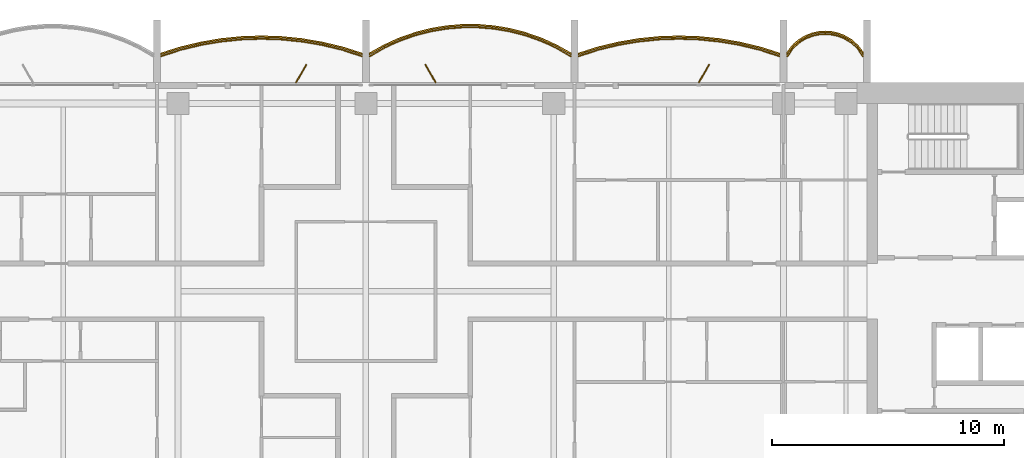
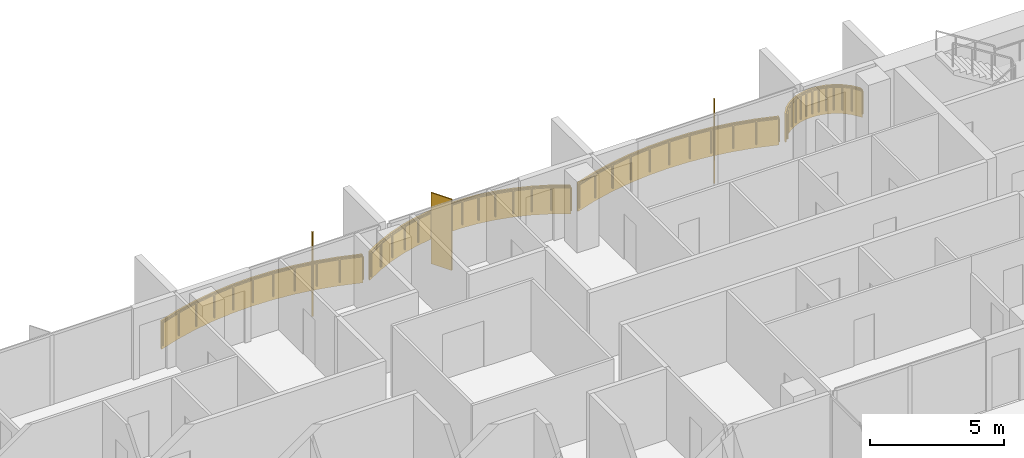
# One storey, part 17 of 17: 4 coverings, 4 railings, 3 shading devices.
"""IFC4 building model written with IfcOpenShell, lengths in metres."""

from ifc_helpers import new_model, si_unit, direction, frame, origin, origin_2d, place, context, subcontext, project, spatial, polyline, rectangle, outline, extrude, material, layer, layer_set, type_object, element, save


model = new_model("IFC4")

# Units and contexts
model_context = context("Model", 3, precision=1e-05, world=origin(), true_north=direction((0.0, 1.0)))
body_context = subcontext(model_context, "Body", "Model", "MODEL_VIEW")
ifc_project = project(units=[si_unit("LENGTHUNIT", "METRE"), si_unit("AREAUNIT", "SQUARE_METRE"), si_unit("VOLUMEUNIT", "CUBIC_METRE"), si_unit("PLANEANGLEUNIT", "RADIAN"), si_unit("MASSUNIT", "GRAM", prefix="KILO")], contexts=[model_context])

# Site, building, storey
site_placement = place(None, origin())
site = spatial("IfcSite", under=ifc_project, at=site_placement, CompositionType="ELEMENT")
building_placement = place(site_placement, origin())
building = spatial("IfcBuilding", under=site, at=building_placement, Name="Perihelion Cross Residences", CompositionType="ELEMENT")
storey_placement = place(building_placement, frame((0.0, 0.0, 201.60009765625)))
storey = spatial("IfcBuildingStorey", under=building, at=storey_placement, Name="L50", CompositionType="ELEMENT", Elevation=201.60009765625)

# Coverings
ifc_material_1 = material(Name="Bronze anodised aluminium", Category="aluminium")
ifc_layer_1 = layer(ifc_material_1, 0.070068359375)
ifc_layer_set_1 = layer_set([ifc_layer_1], Name="Balcony fascia 1300")
covering_type = type_object("IfcCoveringType", Name="Balcony fascia 1300", PredefinedType="CLADDING", material=ifc_layer_set_1)
covering_1_placement = place(storey_placement, frame((0.0, 0.0, -0.2001953125)))
element("IfcCovering", 1, at=covering_1_placement, inside=storey, type_object=covering_type, Name="Fascia BF1 L50 east side north bay 1", PredefinedType="CLADDING", context=body_context, shape_type="SweptSolid", body=[
    extrude(outline(polyline([(21.226318359375, 10.616455078125), (20.94091796875, 10.86328125), (20.655517578125, 11.031494140625), (20.370361328125, 11.142578125), (20.085205078125, 11.206298828125), (19.800048828125, 11.22705078125), (19.514892578125, 11.206298828125), (19.229736328125, 11.142578125), (18.9443359375, 11.031494140625), (18.6591796875, 10.86328125), (18.373779296875, 10.616455078125), (18.14990234375, 10.31689453125), (18.14990234375, 10.199951171875), (18.425048828125, 10.568603515625), (18.699951171875, 10.806396484375), (18.97509765625, 10.96875), (19.25, 11.07568359375), (19.52490234375, 11.136962890625), (19.800048828125, 11.156982421875), (20.074951171875, 11.136962890625), (20.35009765625, 11.07568359375), (20.625, 10.96875), (20.89990234375, 10.806396484375), (21.175048828125, 10.568603515625), (21.449951171875, 10.199951171875), (21.449951171875, 10.31689453125), (21.226318359375, 10.616455078125)])), origin(), (0.0, 0.0, 1.0), 1.300048828125),
])
covering_2_placement = place(storey_placement, frame((0.0, 0.0, -0.2001953125)))
element("IfcCovering", 2, at=covering_2_placement, inside=storey, type_object=covering_type, Name="Fascia BF1 L50 east side north bay 2", PredefinedType="CLADDING", context=body_context, shape_type="SweptSolid", body=[
    extrude(outline(polyline([(16.998779296875, 10.542724609375), (16.1240234375, 10.753662109375), (15.249267578125, 10.90234375), (14.374755859375, 10.99072265625), (13.5, 11.02001953125), (12.625244140625, 10.99072265625), (11.750732421875, 10.90234375), (10.8759765625, 10.753662109375), (10.001220703125, 10.542724609375), (9.14990234375, 10.2734375), (9.14990234375, 10.199951171875), (10.02001953125, 10.47509765625), (10.889892578125, 10.68505859375), (11.760009765625, 10.8330078125), (12.6298828125, 10.9208984375), (13.5, 10.949951171875), (14.3701171875, 10.9208984375), (15.239990234375, 10.8330078125), (16.110107421875, 10.68505859375), (16.97998046875, 10.47509765625), (17.85009765625, 10.199951171875), (17.85009765625, 10.2734375), (16.998779296875, 10.542724609375)])), origin(), (0.0, 0.0, 1.0), 1.300048828125),
])
covering_3_placement = place(storey_placement, frame((0.0, 0.0, -0.2001953125)))
element("IfcCovering", 3, at=covering_3_placement, inside=storey, type_object=covering_type, Name="Fascia BF1 L50 north side east bay 1", PredefinedType="CLADDING", context=body_context, shape_type="SweptSolid", body=[
    extrude(outline(polyline([(8.212158203125, 10.63916015625), (7.537353515625, 10.941650390625), (6.8623046875, 11.175048828125), (6.1875, 11.345947265625), (5.512451171875, 11.457763671875), (4.83740234375, 11.51318359375), (4.16259765625, 11.51318359375), (3.487548828125, 11.457763671875), (2.8125, 11.345947265625), (2.1376953125, 11.175048828125), (1.462646484375, 10.941650390625), (0.787841796875, 10.63916015625), (0.14990234375, 10.2802734375), (0.14990234375, 10.199951171875), (0.8193359375, 10.57666015625), (1.488525390625, 10.87646484375), (2.15771484375, 11.108154296875), (2.826904296875, 11.27734375), (3.49609375, 11.38818359375), (4.165283203125, 11.443115234375), (4.834716796875, 11.443115234375), (5.50390625, 11.38818359375), (6.173095703125, 11.27734375), (6.84228515625, 11.108154296875), (7.511474609375, 10.87646484375), (8.1806640625, 10.57666015625), (8.85009765625, 10.199951171875), (8.85009765625, 10.2802734375), (8.212158203125, 10.63916015625)])), origin(), (0.0, 0.0, 1.0), 1.300048828125),
])
covering_4_placement = place(storey_placement, frame((0.0, 0.0, -0.2001953125)))
element("IfcCovering", 4, at=covering_4_placement, inside=storey, type_object=covering_type, Name="Fascia BF1 L50 north side east bay 2", PredefinedType="CLADDING", context=body_context, shape_type="SweptSolid", body=[
    extrude(outline(polyline([(-1.001220703125, 10.542724609375), (-1.8759765625, 10.753662109375), (-2.750732421875, 10.90234375), (-3.625244140625, 10.99072265625), (-4.5, 11.02001953125), (-5.374755859375, 10.99072265625), (-6.249267578125, 10.90234375), (-7.1240234375, 10.753662109375), (-7.998779296875, 10.542724609375), (-8.85009765625, 10.2734375), (-8.85009765625, 10.199951171875), (-7.97998046875, 10.47509765625), (-7.110107421875, 10.68505859375), (-6.239990234375, 10.8330078125), (-5.3701171875, 10.9208984375), (-4.5, 10.949951171875), (-3.6298828125, 10.9208984375), (-2.760009765625, 10.8330078125), (-1.889892578125, 10.68505859375), (-1.02001953125, 10.47509765625), (-0.14990234375, 10.199951171875), (-0.14990234375, 10.2734375), (-1.001220703125, 10.542724609375)])), origin(), (0.0, 0.0, 1.0), 1.300048828125),
])

# Railings
ifc_material_2 = material(Name="Bronze anodised aluminium", Category="aluminium")
railing_type = type_object("IfcRailingType", Name="Balcony guard 1100", PredefinedType="GUARDRAIL", material=ifc_material_2)
railing_1_placement = place(storey_placement, frame((21.425048828125, 10.139892578125, 0.0)))
element("IfcRailing", 5, at=railing_1_placement, inside=storey, type_object=railing_type, Name="Guard GU1 L50 east side north bay 1 balcony", PredefinedType="GUARDRAIL", context=body_context, shape_type="SweptSolid", body=[
    extrude(rectangle(XDim=0.048095703125, YDim=0.048095703125, at=origin_2d()), frame((0.0, 0.0, 1.076171875), z_axis=(-0.561260132269, 0.827639452857, 0.0), x_axis=(-0.827639452857, -0.561260132269, 0.0)), (0.0, 0.0, 1.0), 0.4453125),
    extrude(rectangle(XDim=0.048095703125, YDim=0.048095703125, at=origin_2d()), frame((-0.25, 0.36865234375, 1.076171875), z_axis=(-0.756596535164, 0.653882009982, 0.0), x_axis=(-0.653882009982, -0.756596535164, 0.0)), (0.0, 0.0, 1.0), 0.36376953125),
    extrude(rectangle(XDim=0.048095703125, YDim=0.048095703125, at=origin_2d()), frame((-0.525146484375, 0.6064453125, 1.076171875), z_axis=(-0.861048292884, 0.508523192511, 0.0), x_axis=(-0.508523192511, -0.861048292884, 0.0)), (0.0, 0.0, 1.0), 0.3193359375),
    extrude(rectangle(XDim=0.048095703125, YDim=0.048095703125, at=origin_2d()), frame((-0.800048828125, 0.768798828125, 1.076171875), z_axis=(-0.931973602183, 0.362526143656, 0.0), x_axis=(-0.362526143656, -0.931973602183, 0.0)), (0.0, 0.0, 1.0), 0.294921875),
    extrude(rectangle(XDim=0.048095703125, YDim=0.048095703125, at=origin_2d()), frame((-1.074951171875, 0.875732421875, 1.076171875), z_axis=(-0.976085059389, 0.21738895289, 0.0), x_axis=(-0.21738895289, -0.976085059389, 0.0)), (0.0, 0.0, 1.0), 0.281982421875),
    extrude(rectangle(XDim=0.048095703125, YDim=0.048095703125, at=origin_2d()), frame((-1.35009765625, 0.93701171875, 1.076171875), z_axis=(-0.997358821833, 0.072631814734, 0.0), x_axis=(-0.072631814734, -0.997358821833, 0.0)), (0.0, 0.0, 1.0), 0.275634765625),
    extrude(rectangle(XDim=0.048095703125, YDim=0.048095703125, at=origin_2d()), frame((-1.625, 0.95703125, 1.076171875), z_axis=(-0.997363488337, -0.072567707226, 0.0), x_axis=(0.072567707226, -0.997363488337, 0.0)), (0.0, 0.0, 1.0), 0.27587890625),
    extrude(rectangle(XDim=0.048095703125, YDim=0.048095703125, at=origin_2d()), frame((-1.900146484375, 0.93701171875, 1.076171875), z_axis=(-0.976044077717, -0.217572880557, 0.0), x_axis=(0.217572880557, -0.976044077717, 0.0)), (0.0, 0.0, 1.0), 0.28173828125),
    extrude(rectangle(XDim=0.048095703125, YDim=0.048095703125, at=origin_2d()), frame((-2.175048828125, 0.875732421875, 1.076171875), z_axis=(-0.931973602183, -0.362526143656, 0.0), x_axis=(0.362526143656, -0.931973602183, 0.0)), (0.0, 0.0, 1.0), 0.294921875),
    extrude(rectangle(XDim=0.048095703125, YDim=0.048095703125, at=origin_2d()), frame((-2.449951171875, 0.768798828125, 1.076171875), z_axis=(-0.861245845072, -0.508188542123, 0.0), x_axis=(0.508188542123, -0.861245845072, 0.0)), (0.0, 0.0, 1.0), 0.319580078125),
    extrude(rectangle(XDim=0.048095703125, YDim=0.048095703125, at=origin_2d()), frame((-2.72509765625, 0.6064453125, 1.076171875), z_axis=(-0.756309278473, -0.654214242658, 0.0), x_axis=(0.654214242658, -0.756309278473, 0.0)), (0.0, 0.0, 1.0), 0.363525390625),
    extrude(rectangle(XDim=0.048095703125, YDim=0.048095703125, at=origin_2d()), frame((-3.0, 0.36865234375, 1.076171875), z_axis=(-0.561260132269, -0.827639452857, 0.0), x_axis=(0.827639452857, -0.561260132269, 0.0)), (0.0, 0.0, 1.0), 0.4453125),
    extrude(rectangle(XDim=0.0419921875, YDim=0.0419921875, at=origin_2d()), origin(), (0.0, 0.0, 1.0), 1.052001953125),
    extrude(rectangle(XDim=0.0419921875, YDim=0.0419921875, at=origin_2d()), frame((-0.25, 0.36865234375, 0.0)), (0.0, 0.0, 1.0), 1.052001953125),
    extrude(rectangle(XDim=0.0419921875, YDim=0.0419921875, at=origin_2d()), frame((-0.525146484375, 0.6064453125, 0.0)), (0.0, 0.0, 1.0), 1.052001953125),
    extrude(rectangle(XDim=0.0419921875, YDim=0.0419921875, at=origin_2d()), frame((-0.800048828125, 0.768798828125, 0.0)), (0.0, 0.0, 1.0), 1.052001953125),
    extrude(rectangle(XDim=0.0419921875, YDim=0.0419921875, at=origin_2d()), frame((-1.074951171875, 0.875732421875, 0.0)), (0.0, 0.0, 1.0), 1.052001953125),
    extrude(rectangle(XDim=0.0419921875, YDim=0.0419921875, at=origin_2d()), frame((-1.35009765625, 0.93701171875, 0.0)), (0.0, 0.0, 1.0), 1.052001953125),
    extrude(rectangle(XDim=0.0419921875, YDim=0.0419921875, at=origin_2d()), frame((-1.625, 0.95703125, 0.0)), (0.0, 0.0, 1.0), 1.052001953125),
    extrude(rectangle(XDim=0.0419921875, YDim=0.0419921875, at=origin_2d()), frame((-1.900146484375, 0.93701171875, 0.0)), (0.0, 0.0, 1.0), 1.052001953125),
    extrude(rectangle(XDim=0.0419921875, YDim=0.0419921875, at=origin_2d()), frame((-2.175048828125, 0.875732421875, 0.0)), (0.0, 0.0, 1.0), 1.052001953125),
    extrude(rectangle(XDim=0.0419921875, YDim=0.0419921875, at=origin_2d()), frame((-2.449951171875, 0.768798828125, 0.0)), (0.0, 0.0, 1.0), 1.052001953125),
    extrude(rectangle(XDim=0.0419921875, YDim=0.0419921875, at=origin_2d()), frame((-2.72509765625, 0.6064453125, 0.0)), (0.0, 0.0, 1.0), 1.052001953125),
    extrude(rectangle(XDim=0.0419921875, YDim=0.0419921875, at=origin_2d()), frame((-3.0, 0.36865234375, 0.0)), (0.0, 0.0, 1.0), 1.052001953125),
    extrude(rectangle(XDim=0.0419921875, YDim=0.0419921875, at=origin_2d()), frame((-3.25, 0.0, 0.0)), (0.0, 0.0, 1.0), 1.052001953125),
])
railing_2_placement = place(storey_placement, frame((17.824951171875, 10.139892578125, 0.0)))
element("IfcRailing", 6, at=railing_2_placement, inside=storey, type_object=railing_type, Name="Guard GU1 L50 east side north bay 2 balcony", PredefinedType="GUARDRAIL", context=body_context, shape_type="SweptSolid", body=[
    extrude(rectangle(XDim=0.048095703125, YDim=0.048095703125, at=origin_2d()), frame((0.0, 0.0, 1.076171875), z_axis=(-0.950777354264, 0.30987484993, 0.0), x_axis=(-0.30987484993, -0.950777354264, 0.0)), (0.0, 0.0, 1.0), 0.888671875),
    extrude(rectangle(XDim=0.048095703125, YDim=0.048095703125, at=origin_2d()), frame((-0.844970703125, 0.275390625, 1.076171875), z_axis=(-0.972146551129, 0.234373810671, 0.0), x_axis=(-0.234373810671, -0.972146551129, 0.0)), (0.0, 0.0, 1.0), 0.894775390625),
    extrude(rectangle(XDim=0.048095703125, YDim=0.048095703125, at=origin_2d()), frame((-1.71484375, 0.485107421875, 1.076171875), z_axis=(-0.985850361727, 0.167627755108, 0.0), x_axis=(-0.167627755108, -0.985850361727, 0.0)), (0.0, 0.0, 1.0), 0.882568359375),
    extrude(rectangle(XDim=0.048095703125, YDim=0.048095703125, at=origin_2d()), frame((-2.5849609375, 0.633056640625, 1.076171875), z_axis=(-0.994934368303, 0.100526627165, 0.0), x_axis=(-0.100526627165, -0.994934368303, 0.0)), (0.0, 0.0, 1.0), 0.874267578125),
    extrude(rectangle(XDim=0.048095703125, YDim=0.048095703125, at=origin_2d()), frame((-3.454833984375, 0.720947265625, 1.076171875), z_axis=(-0.999443037968, 0.0333708534, 0.0), x_axis=(-0.0333708534, -0.999443037968, 0.0)), (0.0, 0.0, 1.0), 0.87060546875),
    extrude(rectangle(XDim=0.048095703125, YDim=0.048095703125, at=origin_2d()), frame((-4.324951171875, 0.75, 1.076171875), z_axis=(-0.999443037968, -0.0333708534, 0.0), x_axis=(0.0333708534, -0.999443037968, 0.0)), (0.0, 0.0, 1.0), 0.87060546875),
    extrude(rectangle(XDim=0.048095703125, YDim=0.048095703125, at=origin_2d()), frame((-5.195068359375, 0.720947265625, 1.076171875), z_axis=(-0.994934368303, -0.100526627165, 0.0), x_axis=(0.100526627165, -0.994934368303, 0.0)), (0.0, 0.0, 1.0), 0.874267578125),
    extrude(rectangle(XDim=0.048095703125, YDim=0.048095703125, at=origin_2d()), frame((-6.06494140625, 0.633056640625, 1.076171875), z_axis=(-0.985850361727, -0.167627755108, 0.0), x_axis=(0.167627755108, -0.985850361727, 0.0)), (0.0, 0.0, 1.0), 0.882568359375),
    extrude(rectangle(XDim=0.048095703125, YDim=0.048095703125, at=origin_2d()), frame((-6.93505859375, 0.485107421875, 1.076171875), z_axis=(-0.972146551129, -0.234373810671, 0.0), x_axis=(0.234373810671, -0.972146551129, 0.0)), (0.0, 0.0, 1.0), 0.894775390625),
    extrude(rectangle(XDim=0.048095703125, YDim=0.048095703125, at=origin_2d()), frame((-7.804931640625, 0.275390625, 1.076171875), z_axis=(-0.950777354264, -0.30987484993, 0.0), x_axis=(0.30987484993, -0.950777354264, 0.0)), (0.0, 0.0, 1.0), 0.888671875),
    extrude(rectangle(XDim=0.0419921875, YDim=0.0419921875, at=origin_2d()), origin(), (0.0, 0.0, 1.0), 1.052001953125),
    extrude(rectangle(XDim=0.0419921875, YDim=0.0419921875, at=origin_2d()), frame((-0.844970703125, 0.275390625, 0.0)), (0.0, 0.0, 1.0), 1.052001953125),
    extrude(rectangle(XDim=0.0419921875, YDim=0.0419921875, at=origin_2d()), frame((-1.71484375, 0.485107421875, 0.0)), (0.0, 0.0, 1.0), 1.052001953125),
    extrude(rectangle(XDim=0.0419921875, YDim=0.0419921875, at=origin_2d()), frame((-2.5849609375, 0.633056640625, 0.0)), (0.0, 0.0, 1.0), 1.052001953125),
    extrude(rectangle(XDim=0.0419921875, YDim=0.0419921875, at=origin_2d()), frame((-3.454833984375, 0.720947265625, 0.0)), (0.0, 0.0, 1.0), 1.052001953125),
    extrude(rectangle(XDim=0.0419921875, YDim=0.0419921875, at=origin_2d()), frame((-4.324951171875, 0.75, 0.0)), (0.0, 0.0, 1.0), 1.052001953125),
    extrude(rectangle(XDim=0.0419921875, YDim=0.0419921875, at=origin_2d()), frame((-5.195068359375, 0.720947265625, 0.0)), (0.0, 0.0, 1.0), 1.052001953125),
    extrude(rectangle(XDim=0.0419921875, YDim=0.0419921875, at=origin_2d()), frame((-6.06494140625, 0.633056640625, 0.0)), (0.0, 0.0, 1.0), 1.052001953125),
    extrude(rectangle(XDim=0.0419921875, YDim=0.0419921875, at=origin_2d()), frame((-6.93505859375, 0.485107421875, 0.0)), (0.0, 0.0, 1.0), 1.052001953125),
    extrude(rectangle(XDim=0.0419921875, YDim=0.0419921875, at=origin_2d()), frame((-7.804931640625, 0.275390625, 0.0)), (0.0, 0.0, 1.0), 1.052001953125),
    extrude(rectangle(XDim=0.0419921875, YDim=0.0419921875, at=origin_2d()), frame((-8.64990234375, 0.0, 0.0)), (0.0, 0.0, 1.0), 1.052001953125),
])
railing_3_placement = place(storey_placement, frame((8.824951171875, 10.139892578125, 0.0)))
element("IfcRailing", 7, at=railing_3_placement, inside=storey, type_object=railing_type, Name="Guard GU1 L50 north side east bay 1 balcony", PredefinedType="GUARDRAIL", context=body_context, shape_type="SweptSolid", body=[
    extrude(rectangle(XDim=0.048095703125, YDim=0.048095703125, at=origin_2d()), frame((0.0, 0.0, 1.076171875), z_axis=(-0.863125740505, 0.504989065305, 0.0), x_axis=(-0.504989065305, -0.863125740505, 0.0)), (0.0, 0.0, 1.0), 0.746337890625),
    extrude(rectangle(XDim=0.048095703125, YDim=0.048095703125, at=origin_2d()), frame((-0.644287109375, 0.376953125, 1.076171875), z_axis=(-0.912723499295, 0.408577794103, 0.0), x_axis=(-0.408577794103, -0.912723499295, 0.0)), (0.0, 0.0, 1.0), 0.733154296875),
    extrude(rectangle(XDim=0.048095703125, YDim=0.048095703125, at=origin_2d()), frame((-1.3134765625, 0.676513671875, 1.076171875), z_axis=(-0.944965577734, 0.327169767701, 0.0), x_axis=(-0.327169767701, -0.944965577734, 0.0)), (0.0, 0.0, 1.0), 0.708251953125),
    extrude(rectangle(XDim=0.048095703125, YDim=0.048095703125, at=origin_2d()), frame((-1.982666015625, 0.908203125, 1.076171875), z_axis=(-0.96949408574, 0.245114703181, 0.0), x_axis=(-0.245114703181, -0.96949408574, 0.0)), (0.0, 0.0, 1.0), 0.690185546875),
    extrude(rectangle(XDim=0.048095703125, YDim=0.048095703125, at=origin_2d()), frame((-2.65185546875, 1.077392578125, 1.076171875), z_axis=(-0.986500713816, 0.163756959061, 0.0), x_axis=(-0.163756959061, -0.986500713816, 0.0)), (0.0, 0.0, 1.0), 0.678466796875),
    extrude(rectangle(XDim=0.048095703125, YDim=0.048095703125, at=origin_2d()), frame((-3.321044921875, 1.1884765625, 1.076171875), z_axis=(-0.996677390684, 0.081450468994, 0.0), x_axis=(-0.081450468994, -0.996677390684, 0.0)), (0.0, 0.0, 1.0), 0.67138671875),
    extrude(rectangle(XDim=0.048095703125, YDim=0.048095703125, at=origin_2d()), frame((-3.990234375, 1.2431640625, 1.076171875), z_axis=(-1.0, 0.0, 0.0), x_axis=(0.0, -1.0, 0.0)), (0.0, 0.0, 1.0), 0.66943359375),
    extrude(rectangle(XDim=0.048095703125, YDim=0.048095703125, at=origin_2d()), frame((-4.65966796875, 1.2431640625, 1.076171875), z_axis=(-0.996677390684, -0.081450468994, 0.0), x_axis=(0.081450468994, -0.996677390684, 0.0)), (0.0, 0.0, 1.0), 0.67138671875),
    extrude(rectangle(XDim=0.048095703125, YDim=0.048095703125, at=origin_2d()), frame((-5.328857421875, 1.1884765625, 1.076171875), z_axis=(-0.986500713816, -0.163756959061, 0.0), x_axis=(0.163756959061, -0.986500713816, 0.0)), (0.0, 0.0, 1.0), 0.678466796875),
    extrude(rectangle(XDim=0.048095703125, YDim=0.048095703125, at=origin_2d()), frame((-5.998046875, 1.077392578125, 1.076171875), z_axis=(-0.96949408574, -0.245114703181, 0.0), x_axis=(0.245114703181, -0.96949408574, 0.0)), (0.0, 0.0, 1.0), 0.690185546875),
    extrude(rectangle(XDim=0.048095703125, YDim=0.048095703125, at=origin_2d()), frame((-6.667236328125, 0.908203125, 1.076171875), z_axis=(-0.944965577734, -0.327169767701, 0.0), x_axis=(0.327169767701, -0.944965577734, 0.0)), (0.0, 0.0, 1.0), 0.708251953125),
    extrude(rectangle(XDim=0.048095703125, YDim=0.048095703125, at=origin_2d()), frame((-7.33642578125, 0.676513671875, 1.076171875), z_axis=(-0.912723499295, -0.408577794103, 0.0), x_axis=(0.408577794103, -0.912723499295, 0.0)), (0.0, 0.0, 1.0), 0.733154296875),
    extrude(rectangle(XDim=0.048095703125, YDim=0.048095703125, at=origin_2d()), frame((-8.005615234375, 0.376953125, 1.076171875), z_axis=(-0.863125740505, -0.504989065305, 0.0), x_axis=(0.504989065305, -0.863125740505, 0.0)), (0.0, 0.0, 1.0), 0.746337890625),
    extrude(rectangle(XDim=0.0419921875, YDim=0.0419921875, at=origin_2d()), origin(), (0.0, 0.0, 1.0), 1.052001953125),
    extrude(rectangle(XDim=0.0419921875, YDim=0.0419921875, at=origin_2d()), frame((-0.644287109375, 0.376953125, 0.0)), (0.0, 0.0, 1.0), 1.052001953125),
    extrude(rectangle(XDim=0.0419921875, YDim=0.0419921875, at=origin_2d()), frame((-1.3134765625, 0.676513671875, 0.0)), (0.0, 0.0, 1.0), 1.052001953125),
    extrude(rectangle(XDim=0.0419921875, YDim=0.0419921875, at=origin_2d()), frame((-1.982666015625, 0.908203125, 0.0)), (0.0, 0.0, 1.0), 1.052001953125),
    extrude(rectangle(XDim=0.0419921875, YDim=0.0419921875, at=origin_2d()), frame((-2.65185546875, 1.077392578125, 0.0)), (0.0, 0.0, 1.0), 1.052001953125),
    extrude(rectangle(XDim=0.0419921875, YDim=0.0419921875, at=origin_2d()), frame((-3.321044921875, 1.1884765625, 0.0)), (0.0, 0.0, 1.0), 1.052001953125),
    extrude(rectangle(XDim=0.0419921875, YDim=0.0419921875, at=origin_2d()), frame((-3.990234375, 1.2431640625, 0.0)), (0.0, 0.0, 1.0), 1.052001953125),
    extrude(rectangle(XDim=0.0419921875, YDim=0.0419921875, at=origin_2d()), frame((-4.65966796875, 1.2431640625, 0.0)), (0.0, 0.0, 1.0), 1.052001953125),
    extrude(rectangle(XDim=0.0419921875, YDim=0.0419921875, at=origin_2d()), frame((-5.328857421875, 1.1884765625, 0.0)), (0.0, 0.0, 1.0), 1.052001953125),
    extrude(rectangle(XDim=0.0419921875, YDim=0.0419921875, at=origin_2d()), frame((-5.998046875, 1.077392578125, 0.0)), (0.0, 0.0, 1.0), 1.052001953125),
    extrude(rectangle(XDim=0.0419921875, YDim=0.0419921875, at=origin_2d()), frame((-6.667236328125, 0.908203125, 0.0)), (0.0, 0.0, 1.0), 1.052001953125),
    extrude(rectangle(XDim=0.0419921875, YDim=0.0419921875, at=origin_2d()), frame((-7.33642578125, 0.676513671875, 0.0)), (0.0, 0.0, 1.0), 1.052001953125),
    extrude(rectangle(XDim=0.0419921875, YDim=0.0419921875, at=origin_2d()), frame((-8.005615234375, 0.376953125, 0.0)), (0.0, 0.0, 1.0), 1.052001953125),
    extrude(rectangle(XDim=0.0419921875, YDim=0.0419921875, at=origin_2d()), frame((-8.64990234375, 0.0, 0.0)), (0.0, 0.0, 1.0), 1.052001953125),
])
railing_4_placement = place(storey_placement, frame((-0.175048828125, 10.139892578125, 0.0)))
element("IfcRailing", 8, at=railing_4_placement, inside=storey, type_object=railing_type, Name="Guard GU1 L50 north side east bay 2 balcony", PredefinedType="GUARDRAIL", context=body_context, shape_type="SweptSolid", body=[
    extrude(rectangle(XDim=0.048095703125, YDim=0.048095703125, at=origin_2d()), frame((0.0, 0.0, 1.076171875), z_axis=(-0.950777354264, 0.30987484993, 0.0), x_axis=(-0.30987484993, -0.950777354264, 0.0)), (0.0, 0.0, 1.0), 0.888671875),
    extrude(rectangle(XDim=0.048095703125, YDim=0.048095703125, at=origin_2d()), frame((-0.844970703125, 0.275390625, 1.076171875), z_axis=(-0.972146551129, 0.234373810671, 0.0), x_axis=(-0.234373810671, -0.972146551129, 0.0)), (0.0, 0.0, 1.0), 0.894775390625),
    extrude(rectangle(XDim=0.048095703125, YDim=0.048095703125, at=origin_2d()), frame((-1.71484375, 0.485107421875, 1.076171875), z_axis=(-0.985850361727, 0.167627755108, 0.0), x_axis=(-0.167627755108, -0.985850361727, 0.0)), (0.0, 0.0, 1.0), 0.882568359375),
    extrude(rectangle(XDim=0.048095703125, YDim=0.048095703125, at=origin_2d()), frame((-2.5849609375, 0.633056640625, 1.076171875), z_axis=(-0.994934368303, 0.100526627165, 0.0), x_axis=(-0.100526627165, -0.994934368303, 0.0)), (0.0, 0.0, 1.0), 0.874267578125),
    extrude(rectangle(XDim=0.048095703125, YDim=0.048095703125, at=origin_2d()), frame((-3.454833984375, 0.720947265625, 1.076171875), z_axis=(-0.999443037968, 0.0333708534, 0.0), x_axis=(-0.0333708534, -0.999443037968, 0.0)), (0.0, 0.0, 1.0), 0.87060546875),
    extrude(rectangle(XDim=0.048095703125, YDim=0.048095703125, at=origin_2d()), frame((-4.324951171875, 0.75, 1.076171875), z_axis=(-0.999443037968, -0.0333708534, 0.0), x_axis=(0.0333708534, -0.999443037968, 0.0)), (0.0, 0.0, 1.0), 0.87060546875),
    extrude(rectangle(XDim=0.048095703125, YDim=0.048095703125, at=origin_2d()), frame((-5.195068359375, 0.720947265625, 1.076171875), z_axis=(-0.994934368303, -0.100526627165, 0.0), x_axis=(0.100526627165, -0.994934368303, 0.0)), (0.0, 0.0, 1.0), 0.874267578125),
    extrude(rectangle(XDim=0.048095703125, YDim=0.048095703125, at=origin_2d()), frame((-6.06494140625, 0.633056640625, 1.076171875), z_axis=(-0.985850361727, -0.167627755108, 0.0), x_axis=(0.167627755108, -0.985850361727, 0.0)), (0.0, 0.0, 1.0), 0.882568359375),
    extrude(rectangle(XDim=0.048095703125, YDim=0.048095703125, at=origin_2d()), frame((-6.93505859375, 0.485107421875, 1.076171875), z_axis=(-0.972146551129, -0.234373810671, 0.0), x_axis=(0.234373810671, -0.972146551129, 0.0)), (0.0, 0.0, 1.0), 0.894775390625),
    extrude(rectangle(XDim=0.048095703125, YDim=0.048095703125, at=origin_2d()), frame((-7.804931640625, 0.275390625, 1.076171875), z_axis=(-0.950777354264, -0.30987484993, 0.0), x_axis=(0.30987484993, -0.950777354264, 0.0)), (0.0, 0.0, 1.0), 0.888671875),
    extrude(rectangle(XDim=0.0419921875, YDim=0.0419921875, at=origin_2d()), origin(), (0.0, 0.0, 1.0), 1.052001953125),
    extrude(rectangle(XDim=0.0419921875, YDim=0.0419921875, at=origin_2d()), frame((-0.844970703125, 0.275390625, 0.0)), (0.0, 0.0, 1.0), 1.052001953125),
    extrude(rectangle(XDim=0.0419921875, YDim=0.0419921875, at=origin_2d()), frame((-1.71484375, 0.485107421875, 0.0)), (0.0, 0.0, 1.0), 1.052001953125),
    extrude(rectangle(XDim=0.0419921875, YDim=0.0419921875, at=origin_2d()), frame((-2.5849609375, 0.633056640625, 0.0)), (0.0, 0.0, 1.0), 1.052001953125),
    extrude(rectangle(XDim=0.0419921875, YDim=0.0419921875, at=origin_2d()), frame((-3.454833984375, 0.720947265625, 0.0)), (0.0, 0.0, 1.0), 1.052001953125),
    extrude(rectangle(XDim=0.0419921875, YDim=0.0419921875, at=origin_2d()), frame((-4.324951171875, 0.75, 0.0)), (0.0, 0.0, 1.0), 1.052001953125),
    extrude(rectangle(XDim=0.0419921875, YDim=0.0419921875, at=origin_2d()), frame((-5.195068359375, 0.720947265625, 0.0)), (0.0, 0.0, 1.0), 1.052001953125),
    extrude(rectangle(XDim=0.0419921875, YDim=0.0419921875, at=origin_2d()), frame((-6.06494140625, 0.633056640625, 0.0)), (0.0, 0.0, 1.0), 1.052001953125),
    extrude(rectangle(XDim=0.0419921875, YDim=0.0419921875, at=origin_2d()), frame((-6.93505859375, 0.485107421875, 0.0)), (0.0, 0.0, 1.0), 1.052001953125),
    extrude(rectangle(XDim=0.0419921875, YDim=0.0419921875, at=origin_2d()), frame((-7.804931640625, 0.275390625, 0.0)), (0.0, 0.0, 1.0), 1.052001953125),
    extrude(rectangle(XDim=0.0419921875, YDim=0.0419921875, at=origin_2d()), frame((-8.64990234375, 0.0, 0.0)), (0.0, 0.0, 1.0), 1.052001953125),
])

# Shading devices
ifc_material_3 = material(Name="Bronze anodised aluminium", Category="aluminium")
ifc_layer_2 = layer(ifc_material_3, 0.050048828125)
ifc_layer_set_2 = layer_set([ifc_layer_2], Name="Bronze fin 900")
shading_device_type = type_object("IfcShadingDeviceType", Name="Bronze fin 900", PredefinedType="USERDEFINED", material=ifc_layer_set_2)
for number, where, z_axis, x_axis, name in (
    (9, (14.574951171875, 9.3896484375, 0.0), (0.0, 0.0, 1.0), (0.5, 0.866025403784, 0.0), "Fin FN1 L50 east side north bay 2"),
    (10, (2.78759765625, 9.3896484375, 0.0), (0.0, 0.0, 1.0), (-0.5, 0.866025403784, 0.0), "Fin FN1 L50 north side east bay 1"),
    (11, (-2.78759765625, 9.3896484375, 0.0), (0.0, 0.0, 1.0), (0.5, 0.866025403784, 0.0), "Fin FN1 L50 north side east bay 2"),
):
    element("IfcShadingDevice", number, at=place(storey_placement, frame(where, z_axis=z_axis, x_axis=x_axis)), inside=storey, type_object=shading_device_type, Name=name, ObjectType="FIN", PredefinedType="USERDEFINED", context=body_context, shape_type="SweptSolid", body=[
        extrude(rectangle(XDim=0.89990234375, YDim=0.050048828125, at=origin_2d()), origin(), (0.0, 0.0, 1.0), 3.25),
    ])

save(model, "model.ifc")
